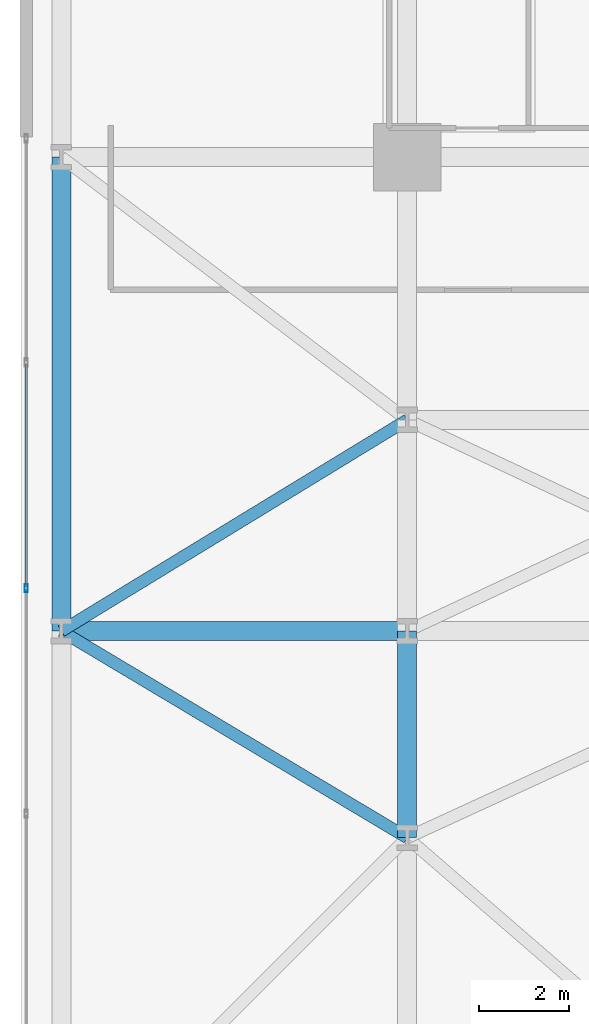
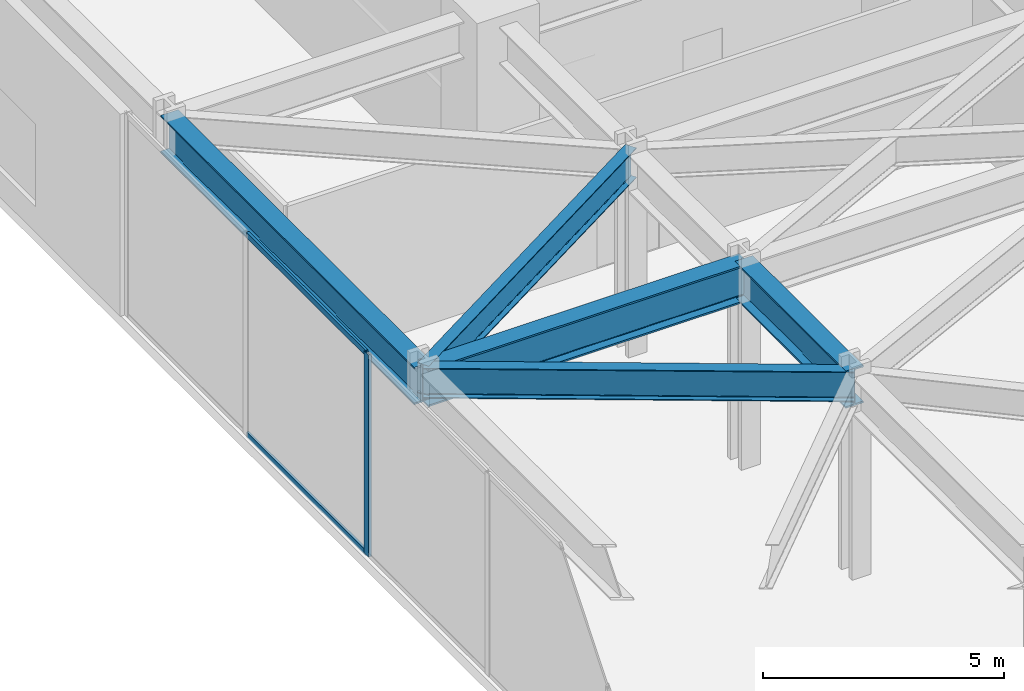
# One storey, part 10 of 29: 5 beams, 3 members, 1 element without a shape of its own.
"""IFC4 building model written with IfcOpenShell, lengths in metres."""

import ifcopenshell
import ifcopenshell.guid

model = None  # the IFC model being written
_history = None  # IfcOwnerHistory: only IFC2X3 demands one
_inside = {}  # id of a spatial element -> (the spatial element, [elements in it])
_under = {}  # id of a project, library or spatial element -> (it, [spatial elements below it])
_declared = {}  # id of a project -> (the project, [libraries it declares])
_typed = {}  # id of a type object -> (the type object, [elements of that type])
_made_of = {}  # id of a material, layer set ... -> (it, [elements and type objects made of it])


def new_model(schema):
    """Start an empty IFC model of exactly this schema.

    Asked for "IFC4X3", IfcOpenShell would pick the latest addendum, in which some entities
    have other attributes; the version numbers below select the first issue.
    IFC2X3 requires an IfcOwnerHistory on every rooted entity: one is made here for all.
    """
    global model, _history
    if schema == "IFC4X3":
        model = ifcopenshell.file(schema_version=(4, 3, 0, 0))
    else:
        model = ifcopenshell.file(schema=schema)
    _inside.clear()
    _under.clear()
    _declared.clear()
    _typed.clear()
    _made_of.clear()
    _history = None
    if model.schema == "IFC2X3":
        org = make("IfcOrganization", Name="unknown")
        user = make(
            "IfcPersonAndOrganization",
            ThePerson=make("IfcPerson", FamilyName="unknown"),
            TheOrganization=org,
        )
        app = make(
            "IfcApplication",
            ApplicationDeveloper=org,
            Version="unknown",
            ApplicationFullName="unknown",
            ApplicationIdentifier="unknown",
        )
        _history = make(
            "IfcOwnerHistory",
            OwningUser=user,
            OwningApplication=app,
            ChangeAction="ADDED",
            CreationDate=0,
        )
    return model


def make(cls, **values):
    """One entity of the class cls with the attributes given. An attribute that is None is left unset."""
    return model.create_entity(
        cls, **{name: value for name, value in values.items() if value is not None}
    )


def rooted(cls, **values):
    """An entity with a GlobalId (a new one), such as an element, a storey or a relation."""
    return make(cls, GlobalId=ifcopenshell.guid.new(), OwnerHistory=_history, **values)


def si_unit(unit_type, name, prefix=None):
    """IfcSIUnit, for example si_unit("LENGTHUNIT", "METRE", prefix="MILLI")."""
    return make("IfcSIUnit", UnitType=unit_type, Prefix=prefix, Name=name)


def assignment(units):
    """IfcUnitAssignment: the units of a project."""
    return None if units is None else make("IfcUnitAssignment", Units=units)


def point(xyz):
    """IfcCartesianPoint."""
    return None if xyz is None else make("IfcCartesianPoint", Coordinates=xyz)


def direction(xyz):
    """IfcDirection."""
    return None if xyz is None else make("IfcDirection", DirectionRatios=xyz)


def frame(location, z_axis=None, x_axis=None):
    """IfcAxis2Placement3D, a coordinate frame: its origin and axes. An axis left out is left unset."""
    return make(
        "IfcAxis2Placement3D",
        Location=point(location),
        Axis=direction(z_axis),
        RefDirection=direction(x_axis),
    )


def frame_2d(location, x_axis=None):
    """IfcAxis2Placement2D, a coordinate frame in the plane: its origin and x axis."""
    return make(
        "IfcAxis2Placement2D", Location=point(location), RefDirection=direction(x_axis)
    )


def origin():
    """The frame at (0, 0, 0) with its axes left unset."""
    return frame((0.0, 0.0, 0.0))


def origin_2d():
    """The frame at (0, 0) in the plane with its x axis left unset."""
    return frame_2d((0.0, 0.0))


def place(relative_to, where):
    """IfcLocalPlacement: puts the frame where relative to a parent placement (None: the world)."""
    return make(
        "IfcLocalPlacement", PlacementRelTo=relative_to, RelativePlacement=where
    )


def context(
    kind, dimensions, precision=None, world=None, true_north=None, identifier=None
):
    """IfcGeometricRepresentationContext, for example the 3D "Model" context."""
    return make(
        "IfcGeometricRepresentationContext",
        ContextIdentifier=identifier,
        ContextType=kind,
        CoordinateSpaceDimension=dimensions,
        Precision=precision,
        WorldCoordinateSystem=world,
        TrueNorth=true_north,
    )


def subcontext(parent, identifier, kind, view, scale=None):
    """IfcGeometricRepresentationSubContext, for example "Body" below "Model"."""
    return make(
        "IfcGeometricRepresentationSubContext",
        ContextIdentifier=identifier,
        ContextType=kind,
        ParentContext=parent,
        TargetScale=scale,
        TargetView=view,
    )


def project(units=None, contexts=None):
    """IfcProject with its units and contexts."""
    return rooted(
        "IfcProject",
        Name="project",
        RepresentationContexts=contexts,
        UnitsInContext=assignment(units),
    )


def spatial(cls, under=None, at=None, **own):
    """A site, building, storey or space (cls), placed at a placement, below another one or the project."""
    s = rooted(cls, ObjectPlacement=at, **own)
    if under is not None:
        _under.setdefault(under.id(), (under, []))[1].append(s)
    return s


def profile(cls, at=None, kind="AREA", **sizes):
    """A parametric profile (cls). Its sizes go by their IFC names, for example OverallWidth=200.0."""
    return make(cls, ProfileType=kind, Position=at, **sizes)


def hollow_rectangle(**sizes):
    """IfcRectangleHollowProfileDef."""
    return profile("IfcRectangleHollowProfileDef", **sizes)


def i_section(**sizes):
    """IfcIShapeProfileDef."""
    return profile("IfcIShapeProfileDef", **sizes)


def extrude(swept, where, along, depth):
    """IfcExtrudedAreaSolid: the profile swept, set in the frame where, extruded along a direction by depth."""
    return make(
        "IfcExtrudedAreaSolid",
        SweptArea=swept,
        Position=where,
        ExtrudedDirection=direction(along),
        Depth=depth,
    )


def shape(context_of_items, identifier, shape_type, items):
    """IfcShapeRepresentation: the items that make up one representation, for example the "Body"."""
    return make(
        "IfcShapeRepresentation",
        ContextOfItems=context_of_items,
        RepresentationIdentifier=identifier,
        RepresentationType=shape_type,
        Items=items,
    )


def material(Name=None, Category=None):
    """IfcMaterial."""
    return make("IfcMaterial", Name=Name, Category=Category)


def layer(
    of_material, thickness, ventilated=None, Name=None, Category=None, Priority=None
):
    """IfcMaterialLayer: one layer of a wall or slab, of a material (None: an air gap)."""
    return make(
        "IfcMaterialLayer",
        Material=of_material,
        LayerThickness=thickness,
        IsVentilated=ventilated,
        Name=Name,
        Category=Category,
        Priority=Priority,
    )


def layer_set(layers, Name=None):
    """IfcMaterialLayerSet."""
    return make("IfcMaterialLayerSet", MaterialLayers=layers, LayerSetName=Name)


def material_profile(
    of_material, cross_section, Name=None, Category=None, Priority=None
):
    """IfcMaterialProfile: a cross section and its material."""
    return make(
        "IfcMaterialProfile",
        Name=Name,
        Material=of_material,
        Profile=cross_section,
        Priority=Priority,
        Category=Category,
    )


def profile_set(profiles, Name=None, composite=None):
    """IfcMaterialProfileSet."""
    return make(
        "IfcMaterialProfileSet",
        Name=Name,
        MaterialProfiles=profiles,
        CompositeProfile=composite,
    )


def made_of(thing, what):
    """Note that an element or type object is made of a material, layer set ...; save() writes the relation."""
    if what is not None:
        _made_of.setdefault(what.id(), (what, []))[1].append(thing)
    return thing


def type_object(cls, material=None, **own):
    """A type object (cls), such as IfcWallType, which elements share."""
    return made_of(rooted(cls, **own), material)


def element(
    cls,
    number,
    at=None,
    inside=None,
    cuts=None,
    type_object=None,
    material=None,
    context=None,
    identifier="Body",
    shape_type=None,
    held_by="IfcProductDefinitionShape",
    body=None,
    shapes=None,
    **own,
):
    """One element of the class cls, such as IfcWall. Its Tag is "e" and its number.

    at: its placement. inside: the storey or other place that contains it. cuts: it is an
    opening in that element (IfcRelVoidsElement). A single representation is given by context,
    identifier, shape_type and body (its items); several are given by shapes. held_by: the class
    of the entity that holds the representations. save() writes the other relations.
    """
    e = rooted(cls, Tag="e%d" % number, ObjectPlacement=at, **own)
    if body is not None:
        shapes = [shape(context, identifier, shape_type, body)]
    if shapes is not None:
        e.Representation = make(held_by, Representations=shapes)
    if inside is not None:
        _inside.setdefault(inside.id(), (inside, []))[1].append(e)
    if cuts is not None:
        rooted(
            "IfcRelVoidsElement", RelatingBuildingElement=cuts, RelatedOpeningElement=e
        )
    if type_object is not None:
        _typed.setdefault(type_object.id(), (type_object, []))[1].append(e)
    return made_of(e, material)


def aggregate(whole, parts):
    """IfcRelAggregates: a whole, such as a stair, and the parts it consists of."""
    return rooted("IfcRelAggregates", RelatingObject=whole, RelatedObjects=parts)


def save(model, path):
    """Write the relations noted so far, then the file.

    IfcRelAggregates (storeys below a building ...), IfcRelContainedInSpatialStructure (elements
    in a storey), IfcRelDefinesByType, IfcRelAssociatesMaterial and IfcRelDeclares: one each for
    every whole, place, type object, material and project.
    """
    for whole, parts in _under.values():
        aggregate(whole, parts)
    for where, things in _inside.values():
        rooted(
            "IfcRelContainedInSpatialStructure",
            RelatedElements=things,
            RelatingStructure=where,
        )
    for kind, things in _typed.values():
        rooted("IfcRelDefinesByType", RelatedObjects=things, RelatingType=kind)
    for what, things in _made_of.values():
        rooted("IfcRelAssociatesMaterial", RelatedObjects=things, RelatingMaterial=what)
    for by, libraries in _declared.values():
        rooted("IfcRelDeclares", RelatingContext=by, RelatedDefinitions=libraries)
    model.write(path)


model = new_model("IFC4")

# Units and contexts
model_context = context("Model", 3, precision=1e-05, world=origin(), true_north=direction((0.0, 1.0)))
body_context = subcontext(model_context, "Body", "Model", "MODEL_VIEW")
ifc_project = project(units=[si_unit("LENGTHUNIT", "METRE"), si_unit("AREAUNIT", "SQUARE_METRE"), si_unit("VOLUMEUNIT", "CUBIC_METRE"), si_unit("PLANEANGLEUNIT", "RADIAN"), si_unit("MASSUNIT", "GRAM", prefix="KILO")], contexts=[model_context])

# Site, building, storey
site_placement = place(None, origin())
site = spatial("IfcSite", under=ifc_project, at=site_placement, CompositionType="ELEMENT")
building_placement = place(site_placement, origin())
building = spatial("IfcBuilding", under=site, at=building_placement, Name="Kravanh Interchange Tower", CompositionType="ELEMENT")
storey_placement = place(building_placement, frame((0.0, 0.0, 5.39990234375)))
storey = spatial("IfcBuildingStorey", under=building, at=storey_placement, Name="L01", CompositionType="ELEMENT", Elevation=5.39990234375)

# Curtain wall, members
ifc_material_1 = material(Name="Anodised Bronze Aluminium", Category="aluminium")
ifc_layer = layer(ifc_material_1, 0.179931640625)
ifc_layer_set = layer_set([ifc_layer], Name="Unitised Curtain Wall System CW-POD Podium Concourse")
curtain_wall_type = type_object("IfcCurtainWallType", Name="Unitised Curtain Wall System CW-POD Podium Concourse", PredefinedType="NOTDEFINED", material=ifc_layer_set)
curtain_wall_placement = place(storey_placement, origin())
curtain_wall = element("IfcCurtainWall", 1, at=curtain_wall_placement, inside=storey, type_object=curtain_wall_type, Name="L01 Unitised Curtain Wall CW-L01-01", PredefinedType="NOTDEFINED")
ifc_material_2 = material(Name="Anodised Bronze Aluminium", Category="aluminium")
ifc_material_profile_1 = material_profile(ifc_material_2, hollow_rectangle(XDim=0.070068359375, YDim=0.179931640625, WallThickness=0.00390625, at=origin_2d()), Name="ALU70X180X4")
ifc_profile_set_1 = profile_set([ifc_material_profile_1], Name="Anodised Bronze Aluminium")
member_type_1 = type_object("IfcMemberType", Name="Curtain Wall Mullion ALU70X180X4 Bronze", PredefinedType="MULLION", material=ifc_profile_set_1)
member_1_placement = place(storey_placement, frame((0.1201171875, 27.757080078125, 0.0), z_axis=(0.0, 0.0, 1.0), x_axis=(-1.0, 0.0, 0.0)))
member_1 = element("IfcMember", 2, at=member_1_placement, type_object=member_type_1, Name="CW-POD mullion 6", PredefinedType="MULLION", context=body_context, shape_type="SweptSolid", body=[
    extrude(hollow_rectangle(XDim=0.070068359375, YDim=0.179931640625, WallThickness=0.00390625, at=origin_2d()), origin(), (0.0, 0.0, 1.0), 5.130126953125),
])
ifc_material_3 = material(Name="Anodised Bronze Aluminium", Category="aluminium")
ifc_material_profile_2 = material_profile(ifc_material_3, hollow_rectangle(XDim=0.06005859375, YDim=0.139892578125, WallThickness=0.00390625, at=origin_2d()), Name="ALU60X140X4")
ifc_profile_set_2 = profile_set([ifc_material_profile_2], Name="Anodised Bronze Aluminium")
member_type_2 = type_object("IfcMemberType", Name="Curtain Wall Transom ALU60X140X4 Bronze", PredefinedType="USERDEFINED", material=ifc_profile_set_2)
member_2_placement = place(storey_placement, frame((0.1201171875, 27.7919921875, 0.030029296875), z_axis=(0.0, 1.0, 0.0), x_axis=(-1.0, 0.0, 0.0)))
member_2 = element("IfcMember", 3, at=member_2_placement, type_object=member_type_2, Name="CW-POD transom 6.1", ObjectType="TRANSOM", PredefinedType="USERDEFINED", context=body_context, shape_type="SweptSolid", body=[
    extrude(hollow_rectangle(XDim=0.06005859375, YDim=0.139892578125, WallThickness=0.00390625, at=origin_2d()), origin(), (0.0, 0.0, 1.0), 4.951416015625),
])
member_3_placement = place(storey_placement, frame((0.1201171875, 27.7919921875, 5.10009765625), z_axis=(0.0, 1.0, 0.0), x_axis=(-1.0, 0.0, 0.0)))
member_3 = element("IfcMember", 4, at=member_3_placement, type_object=member_type_2, Name="CW-POD transom 6.2", ObjectType="TRANSOM", PredefinedType="USERDEFINED", context=body_context, shape_type="SweptSolid", body=[
    extrude(hollow_rectangle(XDim=0.06005859375, YDim=0.139892578125, WallThickness=0.00390625, at=origin_2d()), origin(), (0.0, 0.0, 1.0), 4.951416015625),
])
aggregate(curtain_wall, [member_1, member_2, member_3])

# Beams
ifc_material_4 = material(Name="Structural Steel S450", Category="steel")
ifc_material_profile_3 = material_profile(ifc_material_4, i_section(OverallWidth=0.423095703125, OverallDepth=0.947998046875, WebThickness=0.02392578125, FlangeThickness=0.042724609375, FilletRadius=0.028076171875, at=origin_2d()), Name="W36X302")
ifc_profile_set_3 = profile_set([ifc_material_profile_3], Name="Structural Steel S450")
beam_type_1 = type_object("IfcBeamType", Name="Floor Beam W36X302 Structural Steel S450", PredefinedType="BEAM", material=ifc_profile_set_3)
beam_1_placement = place(storey_placement, frame((8.60009765625, 22.199951171875, 4.656005859375), z_axis=(0.0, 1.0, 0.0), x_axis=(-1.0, 0.0, 0.0)))
element("IfcBeam", 5, at=beam_1_placement, inside=storey, type_object=beam_type_1, Name="L01 Primary Floor Girder 57", PredefinedType="BEAM", context=body_context, shape_type="SweptSolid", body=[
    extrude(i_section(OverallWidth=0.423095703125, OverallDepth=0.947998046875, WebThickness=0.02392578125, FlangeThickness=0.042724609375, FilletRadius=0.028076171875, at=origin_2d()), origin(), (0.0, 0.0, 1.0), 4.60009765625),
])
beam_2_placement = place(storey_placement, frame((8.60009765625, 26.800048828125, 4.656005859375), z_axis=(-1.0, 0.0, 0.0), x_axis=(0.0, -1.0, 0.0)))
element("IfcBeam", 6, at=beam_2_placement, inside=storey, type_object=beam_type_1, Name="L01 Primary Floor Girder 74", PredefinedType="BEAM", context=body_context, shape_type="SweptSolid", body=[
    extrude(i_section(OverallWidth=0.423095703125, OverallDepth=0.947998046875, WebThickness=0.02392578125, FlangeThickness=0.042724609375, FilletRadius=0.028076171875, at=origin_2d()), origin(), (0.0, 0.0, 1.0), 7.7001953125),
])
beam_3_placement = place(storey_placement, frame((0.89990234375, 26.800048828125, 4.656005859375), z_axis=(0.0, 1.0, 0.0), x_axis=(-1.0, 0.0, 0.0)))
element("IfcBeam", 7, at=beam_3_placement, inside=storey, type_object=beam_type_1, Name="L01 Primary Floor Girder 124", PredefinedType="BEAM", context=body_context, shape_type="SweptSolid", body=[
    extrude(i_section(OverallWidth=0.423095703125, OverallDepth=0.947998046875, WebThickness=0.02392578125, FlangeThickness=0.042724609375, FilletRadius=0.028076171875, at=origin_2d()), origin(), (0.0, 0.0, 1.0), 10.550048828125),
])
ifc_material_5 = material(Name="Structural Steel S355", Category="steel")
ifc_material_profile_4 = material_profile(ifc_material_5, i_section(OverallWidth=0.26708984375, OverallDepth=0.761962890625, WebThickness=0.014404296875, FlangeThickness=0.021484375, FilletRadius=0.02490234375, at=origin_2d()), Name="W30X116")
ifc_profile_set_4 = profile_set([ifc_material_profile_4], Name="Structural Steel S355")
beam_type_2 = type_object("IfcBeamType", Name="Floor Spandrel W30X116 Structural Steel S355", PredefinedType="SPANDREL", material=ifc_profile_set_4)
beam_4_placement = place(storey_placement, frame((8.60009765625, 22.199951171875, 4.7490234375), z_axis=(-0.858476029739, 0.512853689041, 0.0), x_axis=(-0.512853689041, -0.858476029739, 0.0)))
element("IfcBeam", 8, at=beam_4_placement, inside=storey, type_object=beam_type_2, Name="L01 Perimeter Spandrel 58", PredefinedType="SPANDREL", context=body_context, shape_type="SweptSolid", body=[
    extrude(i_section(OverallWidth=0.26708984375, OverallDepth=0.761962890625, WebThickness=0.014404296875, FlangeThickness=0.021484375, FilletRadius=0.02490234375, at=origin_2d()), origin(), (0.0, 0.0, 1.0), 8.9697265625),
])
beam_5_placement = place(storey_placement, frame((8.60009765625, 31.5, 4.7490234375), z_axis=(-0.85356401423, -0.520987978375, 0.0), x_axis=(0.520987978375, -0.85356401423, 0.0)))
element("IfcBeam", 9, at=beam_5_placement, inside=storey, type_object=beam_type_2, Name="L01 Perimeter Spandrel 105", PredefinedType="SPANDREL", context=body_context, shape_type="SweptSolid", body=[
    extrude(i_section(OverallWidth=0.26708984375, OverallDepth=0.761962890625, WebThickness=0.014404296875, FlangeThickness=0.021484375, FilletRadius=0.02490234375, at=origin_2d()), origin(), (0.0, 0.0, 1.0), 9.021240234375),
])

save(model, "model.ifc")
